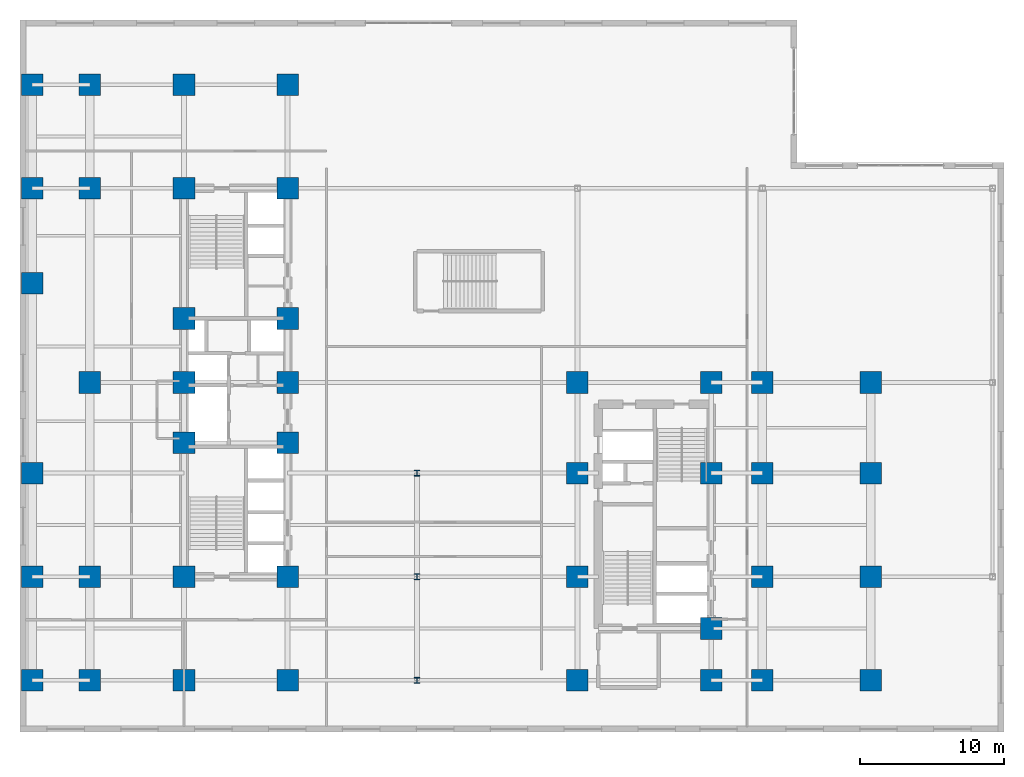
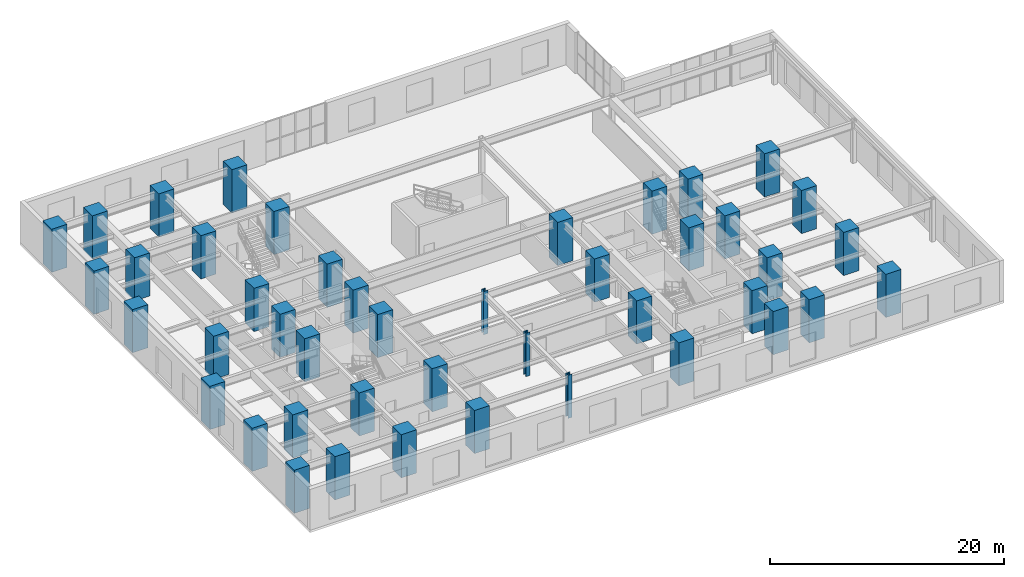
# One storey, part 1 of 15: 44 columns.
"""IFC4 building model written with IfcOpenShell, lengths in metres."""

from ifc_helpers import new_model, entity, si_unit, converted_unit, direction, frame, origin_with_axes, origin_2d_with_axis, place, context, subcontext, project, spatial, rectangle, i_section, extrude, material, material_profile, profile_set, type_object, element, save


model = new_model("IFC4")

# Units and contexts
model_context = context("Model", 3, precision=1e-05, world=origin_with_axes(), true_north=direction((0.0, 1.0)))
body_context = subcontext(model_context, "Body", "Model", "MODEL_VIEW")
ifc_project = project(units=[si_unit("LENGTHUNIT", "METRE"), si_unit("AREAUNIT", "SQUARE_METRE"), si_unit("VOLUMEUNIT", "CUBIC_METRE"), converted_unit("PLANEANGLEUNIT", "DEGREE", entity("IfcPlaneAngleMeasure", 0.017453292519943295), si_unit("PLANEANGLEUNIT", "RADIAN"), dimensions=[0, 0, 0, 0, 0, 0, 0]), si_unit("MASSUNIT", "GRAM", prefix="KILO"), si_unit("THERMODYNAMICTEMPERATUREUNIT", "KELVIN")], contexts=[model_context])

# Site, building, storey
site_placement = place(None, origin_with_axes())
site = spatial("IfcSite", under=ifc_project, at=site_placement, CompositionType="ELEMENT")
building_placement = place(site_placement, origin_with_axes())
building = spatial("IfcBuilding", under=site, at=building_placement, Name="Varnlund Millrace Tower", CompositionType="ELEMENT")
storey_placement = place(building_placement, frame((0.0, 0.0, 15.3), z_axis=(0.0, 0.0, 1.0), x_axis=(1.0, 0.0, 0.0)))
storey = spatial("IfcBuildingStorey", under=building, at=storey_placement, Name="L03", CompositionType="ELEMENT", Elevation=15.3)

# Columns
ifc_material_1 = material(Name="Steel ASTM A913 Grade 65", Category="steel")
ifc_material_profile_1 = material_profile(ifc_material_1, i_section(OverallWidth=0.406, OverallDepth=0.416, WebThickness=0.0298, FlangeThickness=0.048, FilletRadius=0.022, at=origin_2d_with_axis()), Name="Steel ASTM A913 Grade 65")
ifc_profile_set_1 = profile_set([ifc_material_profile_1], Name="Steel ASTM A913 Grade 65")
column_type_1 = type_object("IfcColumnType", Name="Type-Col-Int-W14X257", PredefinedType="COLUMN", material=ifc_profile_set_1)
for number, where, z_axis, x_axis, name in (
    (1, (27.6, 3.6, 0.0), (0.0, 0.0, 1.0), (1.0, 0.0, 0.0), "Type-Col-Int-W14X257"),
    (2, (27.6, 10.8, 0.0), (0.0, 0.0, 1.0), (1.0, 0.0, 0.0), "Type-Col-Int-W14X257"),
    (3, (27.6, 18.0, 0.0), (0.0, 0.0, 1.0), (1.0, 0.0, 0.0), "Type-Col-Int-W14X257"),
):
    element("IfcColumn", number, at=place(storey_placement, frame(where, z_axis=z_axis, x_axis=x_axis)), inside=storey, type_object=column_type_1, Name=name, PredefinedType="COLUMN", context=body_context, shape_type="SweptSolid", body=[
        extrude(i_section(OverallWidth=0.406, OverallDepth=0.416, WebThickness=0.0298, FlangeThickness=0.048, FilletRadius=0.022, at=origin_2d_with_axis()), origin_with_axes(), (0.0, 0.0, 1.0), 4.5),
    ])
ifc_material_2 = material(Name="Concrete C80/95", Category="concrete")
ifc_material_profile_2 = material_profile(ifc_material_2, rectangle(XDim=1.5, YDim=1.5, at=origin_2d_with_axis()), Name="Concrete C80/95")
ifc_profile_set_2 = profile_set([ifc_material_profile_2], Name="Concrete C80/95")
column_type_2 = type_object("IfcColumnType", Name="Type-Col-RC1500-C80", PredefinedType="COLUMN", material=ifc_profile_set_2)
for number, where, z_axis, x_axis, name in (
    (4, (11.4, 3.6, 0.0), (0.0, 0.0, 1.0), (1.0, 0.0, 0.0), "Type-Col-RC1500-C80"),
    (5, (11.4, 10.8, 0.0), (0.0, 0.0, 1.0), (1.0, 0.0, 0.0), "Type-Col-RC1500-C80"),
    (6, (11.4, 20.1, 0.0), (0.0, 0.0, 1.0), (1.0, 0.0, 0.0), "Type-Col-RC1500-C80"),
    (7, (11.4, 24.3, 0.0), (0.0, 0.0, 1.0), (1.0, 0.0, 0.0), "Type-Col-RC1500-C80"),
    (8, (11.4, 28.75, 0.0), (0.0, 0.0, 1.0), (1.0, 0.0, 0.0), "Type-Col-RC1500-C80"),
    (9, (11.4, 37.8, 0.0), (0.0, 0.0, 1.0), (1.0, 0.0, 0.0), "Type-Col-RC1500-C80"),
    (10, (11.4, 45.0, 0.0), (0.0, 0.0, 1.0), (1.0, 0.0, 0.0), "Type-Col-RC1500-C80"),
    (11, (18.6, 3.6, 0.0), (0.0, 0.0, 1.0), (1.0, 0.0, 0.0), "Type-Col-RC1500-C80"),
    (12, (18.6, 10.8, 0.0), (0.0, 0.0, 1.0), (1.0, 0.0, 0.0), "Type-Col-RC1500-C80"),
    (13, (18.6, 20.1, 0.0), (0.0, 0.0, 1.0), (1.0, 0.0, 0.0), "Type-Col-RC1500-C80"),
    (14, (18.6, 24.3, 0.0), (0.0, 0.0, 1.0), (1.0, 0.0, 0.0), "Type-Col-RC1500-C80"),
    (15, (18.6, 28.75, 0.0), (0.0, 0.0, 1.0), (1.0, 0.0, 0.0), "Type-Col-RC1500-C80"),
    (16, (18.6, 37.8, 0.0), (0.0, 0.0, 1.0), (1.0, 0.0, 0.0), "Type-Col-RC1500-C80"),
    (17, (18.6, 45.0, 0.0), (0.0, 0.0, 1.0), (1.0, 0.0, 0.0), "Type-Col-RC1500-C80"),
    (18, (4.85, 3.6, 0.0), (0.0, 0.0, 1.0), (1.0, 0.0, 0.0), "Type-Col-RC1500-C80"),
    (19, (4.85, 10.8, 0.0), (0.0, 0.0, 1.0), (1.0, 0.0, 0.0), "Type-Col-RC1500-C80"),
    (20, (4.85, 24.3, 0.0), (0.0, 0.0, 1.0), (1.0, 0.0, 0.0), "Type-Col-RC1500-C80"),
    (21, (4.85, 37.8, 0.0), (0.0, 0.0, 1.0), (1.0, 0.0, 0.0), "Type-Col-RC1500-C80"),
    (22, (4.85, 45.0, 0.0), (0.0, 0.0, 1.0), (1.0, 0.0, 0.0), "Type-Col-RC1500-C80"),
    (23, (0.85, 3.6, 0.0), (0.0, 0.0, 1.0), (1.0, 0.0, 0.0), "Type-Col-RC1500-C80"),
    (24, (0.85, 10.8, 0.0), (0.0, 0.0, 1.0), (1.0, 0.0, 0.0), "Type-Col-RC1500-C80"),
    (25, (0.85, 18.0, 0.0), (0.0, 0.0, 1.0), (1.0, 0.0, 0.0), "Type-Col-RC1500-C80"),
    (26, (0.85, 31.2, 0.0), (0.0, 0.0, 1.0), (1.0, 0.0, 0.0), "Type-Col-RC1500-C80"),
    (27, (0.85, 37.8, 0.0), (0.0, 0.0, 1.0), (1.0, 0.0, 0.0), "Type-Col-RC1500-C80"),
    (28, (0.85, 45.0, 0.0), (0.0, 0.0, 1.0), (1.0, 0.0, 0.0), "Type-Col-RC1500-C80"),
    (29, (38.75, 3.6, 0.0), (0.0, 0.0, 1.0), (1.0, 0.0, 0.0), "Type-Col-RC1500-C80"),
    (30, (38.75, 10.8, 0.0), (0.0, 0.0, 1.0), (1.0, 0.0, 0.0), "Type-Col-RC1500-C80"),
    (31, (38.75, 18.0, 0.0), (0.0, 0.0, 1.0), (1.0, 0.0, 0.0), "Type-Col-RC1500-C80"),
    (32, (38.75, 24.3, 0.0), (0.0, 0.0, 1.0), (1.0, 0.0, 0.0), "Type-Col-RC1500-C80"),
    (33, (48.05, 3.6, 0.0), (0.0, 0.0, 1.0), (1.0, 0.0, 0.0), "Type-Col-RC1500-C80"),
    (34, (48.05, 7.2, 0.0), (0.0, 0.0, 1.0), (1.0, 0.0, 0.0), "Type-Col-RC1500-C80"),
    (35, (48.05, 18.0, 0.0), (0.0, 0.0, 1.0), (1.0, 0.0, 0.0), "Type-Col-RC1500-C80"),
    (36, (48.05, 24.3, 0.0), (0.0, 0.0, 1.0), (1.0, 0.0, 0.0), "Type-Col-RC1500-C80"),
    (37, (51.6, 3.6, 0.0), (0.0, 0.0, 1.0), (1.0, 0.0, 0.0), "Type-Col-RC1500-C80"),
    (38, (51.6, 10.8, 0.0), (0.0, 0.0, 1.0), (1.0, 0.0, 0.0), "Type-Col-RC1500-C80"),
    (39, (51.6, 18.0, 0.0), (0.0, 0.0, 1.0), (1.0, 0.0, 0.0), "Type-Col-RC1500-C80"),
    (40, (51.6, 24.3, 0.0), (0.0, 0.0, 1.0), (1.0, 0.0, 0.0), "Type-Col-RC1500-C80"),
    (41, (59.15, 3.6, 0.0), (0.0, 0.0, 1.0), (1.0, 0.0, 0.0), "Type-Col-RC1500-C80"),
    (42, (59.15, 10.8, 0.0), (0.0, 0.0, 1.0), (1.0, 0.0, 0.0), "Type-Col-RC1500-C80"),
    (43, (59.15, 18.0, 0.0), (0.0, 0.0, 1.0), (1.0, 0.0, 0.0), "Type-Col-RC1500-C80"),
    (44, (59.15, 24.3, 0.0), (0.0, 0.0, 1.0), (1.0, 0.0, 0.0), "Type-Col-RC1500-C80"),
):
    element("IfcColumn", number, at=place(storey_placement, frame(where, z_axis=z_axis, x_axis=x_axis)), inside=storey, type_object=column_type_2, Name=name, PredefinedType="COLUMN", context=body_context, shape_type="SweptSolid", body=[
        extrude(rectangle(XDim=1.5, YDim=1.5, at=origin_2d_with_axis()), origin_with_axes(), (0.0, 0.0, 1.0), 4.5),
    ])

save(model, "model.ifc")
